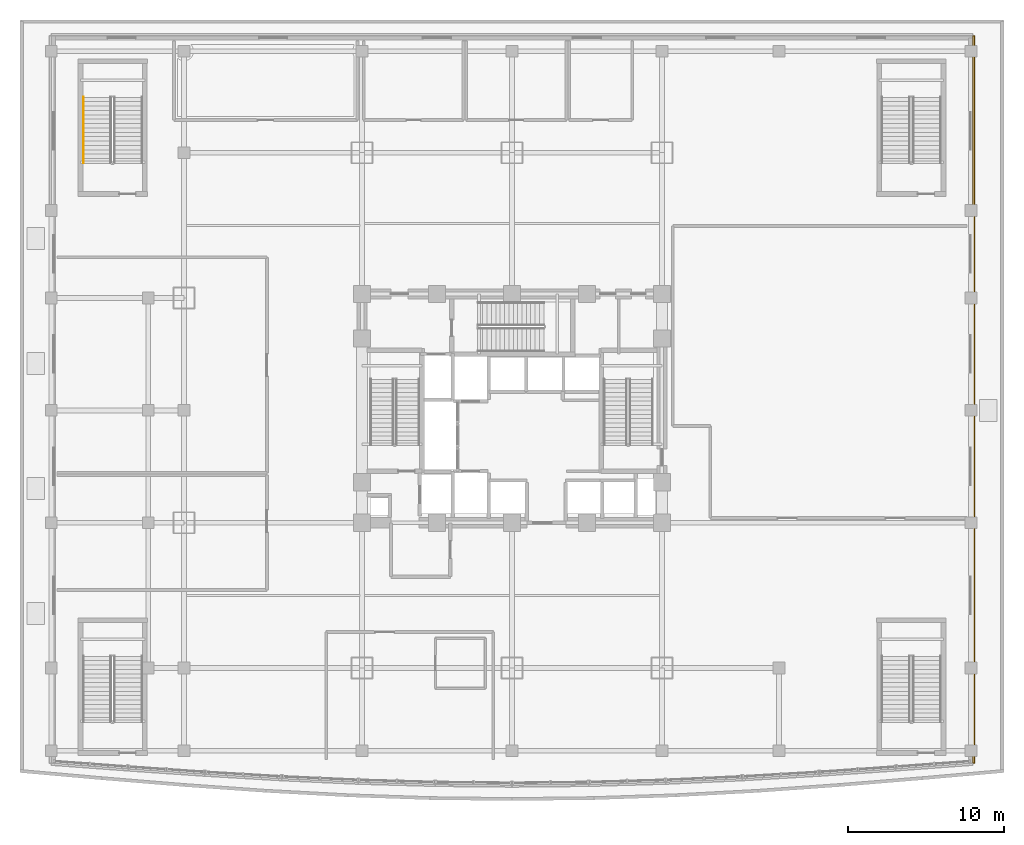
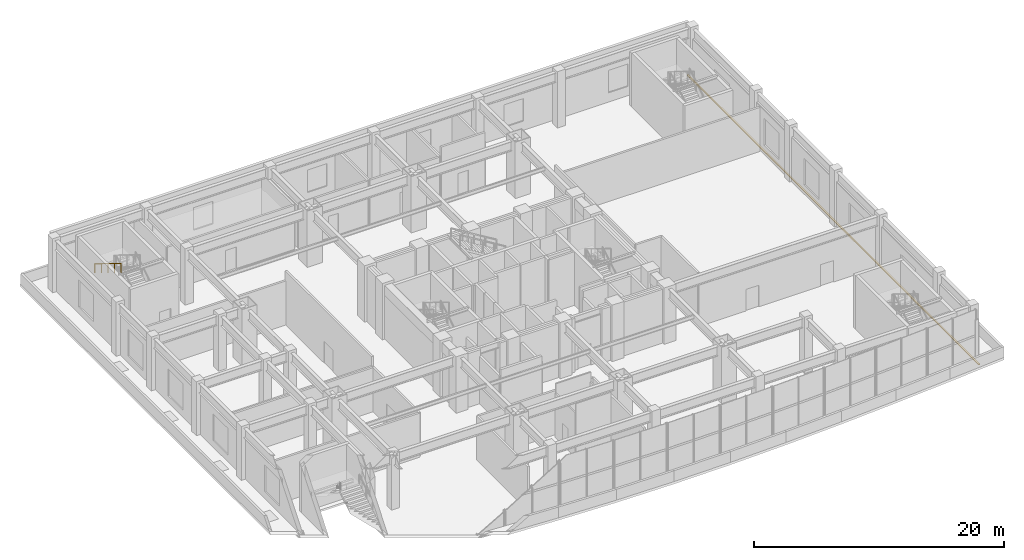
# One storey, part 21 of 24: 1 covering, 1 railing.
"""IFC4 building model written with IfcOpenShell, lengths in metres."""

import ifcopenshell
import ifcopenshell.guid

model = None  # the IFC model being written
_history = None  # IfcOwnerHistory: only IFC2X3 demands one
_inside = {}  # id of a spatial element -> (the spatial element, [elements in it])
_under = {}  # id of a project, library or spatial element -> (it, [spatial elements below it])
_declared = {}  # id of a project -> (the project, [libraries it declares])
_typed = {}  # id of a type object -> (the type object, [elements of that type])
_made_of = {}  # id of a material, layer set ... -> (it, [elements and type objects made of it])


def new_model(schema):
    """Start an empty IFC model of exactly this schema.

    Asked for "IFC4X3", IfcOpenShell would pick the latest addendum, in which some entities
    have other attributes; the version numbers below select the first issue.
    IFC2X3 requires an IfcOwnerHistory on every rooted entity: one is made here for all.
    """
    global model, _history
    if schema == "IFC4X3":
        model = ifcopenshell.file(schema_version=(4, 3, 0, 0))
    else:
        model = ifcopenshell.file(schema=schema)
    _inside.clear()
    _under.clear()
    _declared.clear()
    _typed.clear()
    _made_of.clear()
    _history = None
    if model.schema == "IFC2X3":
        org = make("IfcOrganization", Name="unknown")
        user = make(
            "IfcPersonAndOrganization",
            ThePerson=make("IfcPerson", FamilyName="unknown"),
            TheOrganization=org,
        )
        app = make(
            "IfcApplication",
            ApplicationDeveloper=org,
            Version="unknown",
            ApplicationFullName="unknown",
            ApplicationIdentifier="unknown",
        )
        _history = make(
            "IfcOwnerHistory",
            OwningUser=user,
            OwningApplication=app,
            ChangeAction="ADDED",
            CreationDate=0,
        )
    return model


def make(cls, **values):
    """One entity of the class cls with the attributes given. An attribute that is None is left unset."""
    return model.create_entity(
        cls, **{name: value for name, value in values.items() if value is not None}
    )


def rooted(cls, **values):
    """An entity with a GlobalId (a new one), such as an element, a storey or a relation."""
    return make(cls, GlobalId=ifcopenshell.guid.new(), OwnerHistory=_history, **values)


def si_unit(unit_type, name, prefix=None):
    """IfcSIUnit, for example si_unit("LENGTHUNIT", "METRE", prefix="MILLI")."""
    return make("IfcSIUnit", UnitType=unit_type, Prefix=prefix, Name=name)


def assignment(units):
    """IfcUnitAssignment: the units of a project."""
    return None if units is None else make("IfcUnitAssignment", Units=units)


def point(xyz):
    """IfcCartesianPoint."""
    return None if xyz is None else make("IfcCartesianPoint", Coordinates=xyz)


def direction(xyz):
    """IfcDirection."""
    return None if xyz is None else make("IfcDirection", DirectionRatios=xyz)


def frame(location, z_axis=None, x_axis=None):
    """IfcAxis2Placement3D, a coordinate frame: its origin and axes. An axis left out is left unset."""
    return make(
        "IfcAxis2Placement3D",
        Location=point(location),
        Axis=direction(z_axis),
        RefDirection=direction(x_axis),
    )


def frame_2d(location, x_axis=None):
    """IfcAxis2Placement2D, a coordinate frame in the plane: its origin and x axis."""
    return make(
        "IfcAxis2Placement2D", Location=point(location), RefDirection=direction(x_axis)
    )


def origin():
    """The frame at (0, 0, 0) with its axes left unset."""
    return frame((0.0, 0.0, 0.0))


def origin_2d():
    """The frame at (0, 0) in the plane with its x axis left unset."""
    return frame_2d((0.0, 0.0))


def place(relative_to, where):
    """IfcLocalPlacement: puts the frame where relative to a parent placement (None: the world)."""
    return make(
        "IfcLocalPlacement", PlacementRelTo=relative_to, RelativePlacement=where
    )


def context(
    kind, dimensions, precision=None, world=None, true_north=None, identifier=None
):
    """IfcGeometricRepresentationContext, for example the 3D "Model" context."""
    return make(
        "IfcGeometricRepresentationContext",
        ContextIdentifier=identifier,
        ContextType=kind,
        CoordinateSpaceDimension=dimensions,
        Precision=precision,
        WorldCoordinateSystem=world,
        TrueNorth=true_north,
    )


def subcontext(parent, identifier, kind, view, scale=None):
    """IfcGeometricRepresentationSubContext, for example "Body" below "Model"."""
    return make(
        "IfcGeometricRepresentationSubContext",
        ContextIdentifier=identifier,
        ContextType=kind,
        ParentContext=parent,
        TargetScale=scale,
        TargetView=view,
    )


def project(units=None, contexts=None):
    """IfcProject with its units and contexts."""
    return rooted(
        "IfcProject",
        Name="project",
        RepresentationContexts=contexts,
        UnitsInContext=assignment(units),
    )


def spatial(cls, under=None, at=None, **own):
    """A site, building, storey or space (cls), placed at a placement, below another one or the project."""
    s = rooted(cls, ObjectPlacement=at, **own)
    if under is not None:
        _under.setdefault(under.id(), (under, []))[1].append(s)
    return s


def polyline(points):
    """IfcPolyline through the points."""
    return make("IfcPolyline", Points=[point(p) for p in points])


def profile(cls, at=None, kind="AREA", **sizes):
    """A parametric profile (cls). Its sizes go by their IFC names, for example OverallWidth=200.0."""
    return make(cls, ProfileType=kind, Position=at, **sizes)


def rectangle(**sizes):
    """IfcRectangleProfileDef."""
    return profile("IfcRectangleProfileDef", **sizes)


def outline(outer, holes=None, kind="AREA"):
    """IfcArbitraryClosedProfileDef: a profile drawn as a closed curve; with holes, ...WithVoids."""
    if holes is None:
        return make("IfcArbitraryClosedProfileDef", ProfileType=kind, OuterCurve=outer)
    return make(
        "IfcArbitraryProfileDefWithVoids",
        ProfileType=kind,
        OuterCurve=outer,
        InnerCurves=holes,
    )


def extrude(swept, where, along, depth):
    """IfcExtrudedAreaSolid: the profile swept, set in the frame where, extruded along a direction by depth."""
    return make(
        "IfcExtrudedAreaSolid",
        SweptArea=swept,
        Position=where,
        ExtrudedDirection=direction(along),
        Depth=depth,
    )


def shape(context_of_items, identifier, shape_type, items):
    """IfcShapeRepresentation: the items that make up one representation, for example the "Body"."""
    return make(
        "IfcShapeRepresentation",
        ContextOfItems=context_of_items,
        RepresentationIdentifier=identifier,
        RepresentationType=shape_type,
        Items=items,
    )


def material(Name=None, Category=None):
    """IfcMaterial."""
    return make("IfcMaterial", Name=Name, Category=Category)


def layer(
    of_material, thickness, ventilated=None, Name=None, Category=None, Priority=None
):
    """IfcMaterialLayer: one layer of a wall or slab, of a material (None: an air gap)."""
    return make(
        "IfcMaterialLayer",
        Material=of_material,
        LayerThickness=thickness,
        IsVentilated=ventilated,
        Name=Name,
        Category=Category,
        Priority=Priority,
    )


def layer_set(layers, Name=None):
    """IfcMaterialLayerSet."""
    return make("IfcMaterialLayerSet", MaterialLayers=layers, LayerSetName=Name)


def made_of(thing, what):
    """Note that an element or type object is made of a material, layer set ...; save() writes the relation."""
    if what is not None:
        _made_of.setdefault(what.id(), (what, []))[1].append(thing)
    return thing


def type_object(cls, material=None, **own):
    """A type object (cls), such as IfcWallType, which elements share."""
    return made_of(rooted(cls, **own), material)


def element(
    cls,
    number,
    at=None,
    inside=None,
    cuts=None,
    type_object=None,
    material=None,
    context=None,
    identifier="Body",
    shape_type=None,
    held_by="IfcProductDefinitionShape",
    body=None,
    shapes=None,
    **own,
):
    """One element of the class cls, such as IfcWall. Its Tag is "e" and its number.

    at: its placement. inside: the storey or other place that contains it. cuts: it is an
    opening in that element (IfcRelVoidsElement). A single representation is given by context,
    identifier, shape_type and body (its items); several are given by shapes. held_by: the class
    of the entity that holds the representations. save() writes the other relations.
    """
    e = rooted(cls, Tag="e%d" % number, ObjectPlacement=at, **own)
    if body is not None:
        shapes = [shape(context, identifier, shape_type, body)]
    if shapes is not None:
        e.Representation = make(held_by, Representations=shapes)
    if inside is not None:
        _inside.setdefault(inside.id(), (inside, []))[1].append(e)
    if cuts is not None:
        rooted(
            "IfcRelVoidsElement", RelatingBuildingElement=cuts, RelatedOpeningElement=e
        )
    if type_object is not None:
        _typed.setdefault(type_object.id(), (type_object, []))[1].append(e)
    return made_of(e, material)


def aggregate(whole, parts):
    """IfcRelAggregates: a whole, such as a stair, and the parts it consists of."""
    return rooted("IfcRelAggregates", RelatingObject=whole, RelatedObjects=parts)


def save(model, path):
    """Write the relations noted so far, then the file.

    IfcRelAggregates (storeys below a building ...), IfcRelContainedInSpatialStructure (elements
    in a storey), IfcRelDefinesByType, IfcRelAssociatesMaterial and IfcRelDeclares: one each for
    every whole, place, type object, material and project.
    """
    for whole, parts in _under.values():
        aggregate(whole, parts)
    for where, things in _inside.values():
        rooted(
            "IfcRelContainedInSpatialStructure",
            RelatedElements=things,
            RelatingStructure=where,
        )
    for kind, things in _typed.values():
        rooted("IfcRelDefinesByType", RelatedObjects=things, RelatingType=kind)
    for what, things in _made_of.values():
        rooted("IfcRelAssociatesMaterial", RelatedObjects=things, RelatingMaterial=what)
    for by, libraries in _declared.values():
        rooted("IfcRelDeclares", RelatingContext=by, RelatedDefinitions=libraries)
    model.write(path)


model = new_model("IFC4")

# Units and contexts
model_context = context("Model", 3, precision=1e-05, world=origin(), true_north=direction((0.0, 1.0)))
body_context = subcontext(model_context, "Body", "Model", "MODEL_VIEW")
ifc_project = project(units=[si_unit("LENGTHUNIT", "METRE"), si_unit("AREAUNIT", "SQUARE_METRE"), si_unit("VOLUMEUNIT", "CUBIC_METRE"), si_unit("PLANEANGLEUNIT", "RADIAN"), si_unit("MASSUNIT", "GRAM", prefix="KILO")], contexts=[model_context])

# Site, building, storey
site_placement = place(None, origin())
site = spatial("IfcSite", under=ifc_project, at=site_placement, CompositionType="ELEMENT")
building_placement = place(site_placement, origin())
building = spatial("IfcBuilding", under=site, at=building_placement, Name="Vantalir Tower", CompositionType="ELEMENT")
storey_placement = place(building_placement, frame((0.0, 0.0, 16.0)))
storey = spatial("IfcBuildingStorey", under=building, at=storey_placement, Name="L03", CompositionType="ELEMENT", Elevation=16.0)

# Covering
ifc_material_1 = material(Name="Anodised champagne aluminium sill fascia", Category="aluminium")
ifc_layer = layer(ifc_material_1, 0.125)
ifc_layer_set = layer_set([ifc_layer], Name="Anodised champagne aluminium sill fascia")
covering_type = type_object("IfcCoveringType", Name="COV-SLAB-FASCIA-125", PredefinedType="CLADDING", material=ifc_layer_set)
covering_placement = place(storey_placement, frame((0.0, 0.0, -0.179931640625)))
element("IfcCovering", 1, at=covering_placement, inside=storey, type_object=covering_type, Name="L03 Podium Slab-Edge Fascia E", PredefinedType="CLADDING", context=body_context, shape_type="SweptSolid", body=[
    extrude(outline(polyline([(61.0, 2.39990234375), (61.125, 2.39990234375), (61.125, 49.0), (61.0, 49.0), (61.0, 2.39990234375)])), origin(), (0.0, 0.0, 1.0), 0.10498046875),
])

# Railing
ifc_material_2 = material(Name="Brushed stainless steel tubular handrail", Category="steel")
railing_type = type_object("IfcRailingType", Name="RAL-HANDRAIL-900", PredefinedType="HANDRAIL", material=ifc_material_2)
railing_placement = place(storey_placement, frame((4.050048828125, 45.050048828125, 2.921875)))
element("IfcRailing", 2, at=railing_placement, inside=storey, type_object=railing_type, Name="L03 PST1 stair handrail 2", PredefinedType="HANDRAIL", context=body_context, shape_type="SweptSolid", body=[
    extrude(rectangle(XDim=0.048095703125, YDim=0.048095703125, at=origin_2d()), frame((0.0, 0.0, 0.8759765625), z_axis=(0.0, -0.852242915053, 0.523146264196), x_axis=(1.0, 0.0, 0.0)), (0.0, 0.0, 1.0), 4.92822265625),
    extrude(rectangle(XDim=0.0419921875, YDim=0.0419921875, at=origin_2d()), origin(), (0.0, 0.0, 1.0), 0.851806640625),
    extrude(rectangle(XDim=0.0419921875, YDim=0.0419921875, at=origin_2d()), frame((0.0, -1.050048828125, 0.64453125)), (0.0, 0.0, 1.0), 0.851806640625),
    extrude(rectangle(XDim=0.0419921875, YDim=0.0419921875, at=origin_2d()), frame((0.0, -2.10009765625, 1.2890625)), (0.0, 0.0, 1.0), 0.851806640625),
    extrude(rectangle(XDim=0.0419921875, YDim=0.0419921875, at=origin_2d()), frame((0.0, -3.14990234375, 1.93359375)), (0.0, 0.0, 1.0), 0.851806640625),
    extrude(rectangle(XDim=0.0419921875, YDim=0.0419921875, at=origin_2d()), frame((0.0, -4.199951171875, 2.578125)), (0.0, 0.0, 1.0), 0.851806640625),
])

save(model, "model.ifc")
